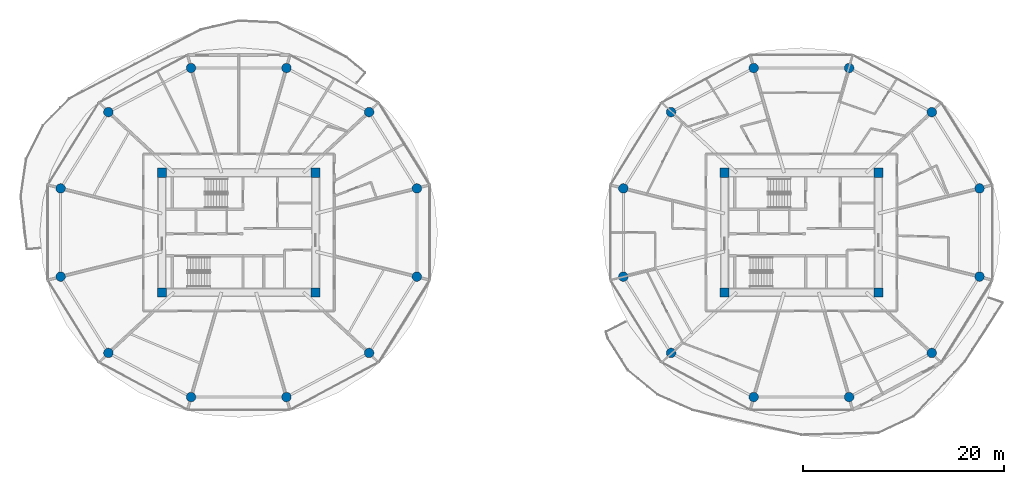
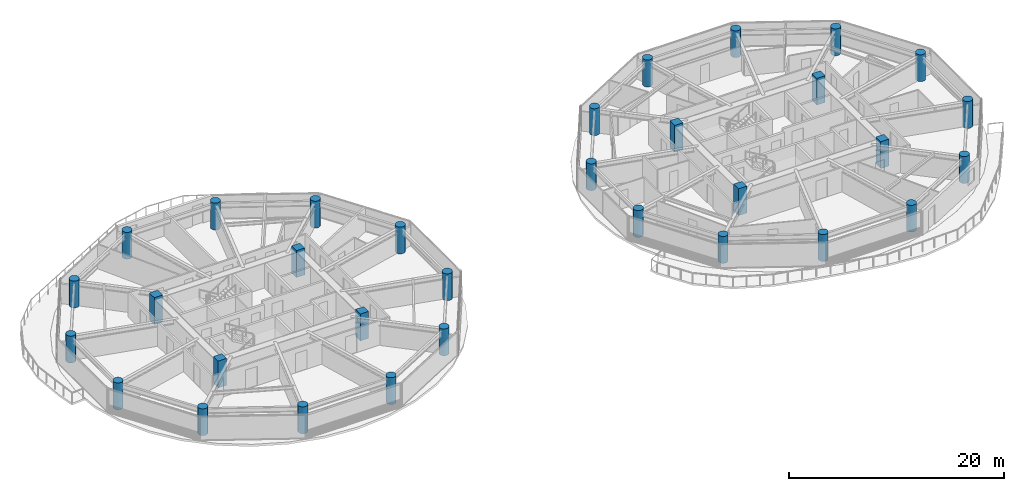
# One storey, part 1 of 26: 32 columns.
"""IFC4 building model written with IfcOpenShell, lengths in metres."""

from ifc_helpers import new_model, si_unit, direction, frame, origin, origin_2d, place, context, subcontext, project, spatial, rectangle, circle, extrude, source, transform, mapped, material, material_profile, profile_set, type_object, type_shapes, element, save


model = new_model("IFC4")

# Units and contexts
model_context = context("Model", 3, precision=1e-05, world=origin(), true_north=direction((0.0, 1.0)))
body_context = subcontext(model_context, "Body", "Model", "MODEL_VIEW")
ifc_project = project(units=[si_unit("LENGTHUNIT", "METRE"), si_unit("AREAUNIT", "SQUARE_METRE"), si_unit("VOLUMEUNIT", "CUBIC_METRE"), si_unit("PLANEANGLEUNIT", "RADIAN"), si_unit("MASSUNIT", "GRAM", prefix="KILO")], contexts=[model_context])

# Site, building, storey
site_placement = place(None, origin())
site = spatial("IfcSite", under=ifc_project, at=site_placement, CompositionType="ELEMENT")
building_placement = place(site_placement, origin())
building = spatial("IfcBuilding", under=site, at=building_placement, Name="Norrkilde Senior Care Towers", CompositionType="ELEMENT")
storey_placement = place(building_placement, frame((0.0, 0.0, 24.64990234375)))
storey = spatial("IfcBuildingStorey", under=building, at=storey_placement, Name="L06", CompositionType="ELEMENT", Elevation=24.64990234375)

# Columns
ifc_material = material(Name="Concrete C60/75", Category="concrete")
ifc_material_profile_1 = material_profile(ifc_material, rectangle(XDim=0.89990234375, YDim=0.89990234375, at=origin_2d()), Name="RC COL 900x900")
ifc_profile_set_1 = profile_set([ifc_material_profile_1], Name="Concrete C60/75")
column_type_1 = type_object("IfcColumnType", Name="Column Core Corner Z1-Z2 900", PredefinedType="COLUMN", material=ifc_profile_set_1)
shared_shape_1 = source(origin(), body_context, "Body", "SweptSolid", [
    extrude(rectangle(XDim=0.89990234375, YDim=0.89990234375, at=origin_2d()), origin(), (0.0, 0.0, 1.0), 3.050048828125),
])
type_shapes(column_type_1, [shared_shape_1])
for number, where, z_axis, x_axis, name in (
    (1, (-35.64990234375, -5.949951171875, 0.0), (0.0, 0.0, 1.0), (1.0, 0.0, 0.0), "L06 Core W Corner Column 1"),
    (2, (-20.35009765625, -5.949951171875, 0.0), (0.0, 0.0, 1.0), (1.0, 0.0, 0.0), "L06 Core W Corner Column 2"),
    (3, (-20.35009765625, 5.949951171875, 0.0), (0.0, 0.0, 1.0), (1.0, 0.0, 0.0), "L06 Core W Corner Column 3"),
    (4, (-35.64990234375, 5.949951171875, 0.0), (0.0, 0.0, 1.0), (1.0, 0.0, 0.0), "L06 Core W Corner Column 4"),
    (5, (20.35009765625, -5.949951171875, 0.0), (0.0, 0.0, 1.0), (1.0, 0.0, 0.0), "L06 Core E Corner Column 1"),
    (6, (35.64990234375, -5.949951171875, 0.0), (0.0, 0.0, 1.0), (1.0, 0.0, 0.0), "L06 Core E Corner Column 2"),
    (7, (35.64990234375, 5.949951171875, 0.0), (0.0, 0.0, 1.0), (1.0, 0.0, 0.0), "L06 Core E Corner Column 3"),
    (8, (20.35009765625, 5.949951171875, 0.0), (0.0, 0.0, 1.0), (1.0, 0.0, 0.0), "L06 Core E Corner Column 4"),
):
    element("IfcColumn", number, at=place(storey_placement, frame(where, z_axis=z_axis, x_axis=x_axis)), inside=storey, type_object=column_type_1, Name=name, PredefinedType="COLUMN", context=body_context, shape_type="MappedRepresentation", body=[
        mapped(shared_shape_1, transform((0.0, 0.0, 0.0), x_axis=(1.0, 0.0, 0.0), y_axis=(0.0, 1.0, 0.0), z_axis=(0.0, 0.0, 1.0), scale=1.0)),
    ])
ifc_material_profile_2 = material_profile(ifc_material, circle(Radius=0.47509765625, at=origin_2d()), Name="RC CIR 950")
ifc_profile_set_2 = profile_set([ifc_material_profile_2], Name="Concrete C60/75")
column_type_2 = type_object("IfcColumnType", Name="Column Perimeter Z1 950", PredefinedType="COLUMN", material=ifc_profile_set_2)
shared_shape_2 = source(origin(), body_context, "Body", "SweptSolid", [
    extrude(circle(Radius=0.47509765625, at=origin_2d()), origin(), (0.0, 0.0, 1.0), 3.050048828125),
])
type_shapes(column_type_2, [shared_shape_2])
for number, where, z_axis, x_axis, name in (
    (9, (-10.275146484375, 4.386962890625, 0.0), (0.0, 0.0, 1.0), (1.0, 0.0, 0.0), "L06 Drum W Perimeter Column 01"),
    (10, (-15.024658203125, 11.9853515625, 0.0), (0.0, 0.0, 1.0), (1.0, 0.0, 0.0), "L06 Drum W Perimeter Column 02"),
    (11, (-23.250732421875, 16.37255859375, 0.0), (0.0, 0.0, 1.0), (1.0, 0.0, 0.0), "L06 Drum W Perimeter Column 03"),
    (12, (-32.749267578125, 16.37255859375, 0.0), (0.0, 0.0, 1.0), (1.0, 0.0, 0.0), "L06 Drum W Perimeter Column 04"),
    (13, (-40.975341796875, 11.9853515625, 0.0), (0.0, 0.0, 1.0), (1.0, 0.0, 0.0), "L06 Drum W Perimeter Column 05"),
    (14, (-45.724853515625, 4.386962890625, 0.0), (0.0, 0.0, 1.0), (1.0, 0.0, 0.0), "L06 Drum W Perimeter Column 06"),
    (15, (-45.724853515625, -4.386962890625, 0.0), (0.0, 0.0, 1.0), (1.0, 0.0, 0.0), "L06 Drum W Perimeter Column 07"),
    (16, (-40.975341796875, -11.9853515625, 0.0), (0.0, 0.0, 1.0), (1.0, 0.0, 0.0), "L06 Drum W Perimeter Column 08"),
    (17, (-32.749267578125, -16.37255859375, 0.0), (0.0, 0.0, 1.0), (1.0, 0.0, 0.0), "L06 Drum W Perimeter Column 09"),
    (18, (-23.250732421875, -16.37255859375, 0.0), (0.0, 0.0, 1.0), (1.0, 0.0, 0.0), "L06 Drum W Perimeter Column 10"),
    (19, (-15.024658203125, -11.9853515625, 0.0), (0.0, 0.0, 1.0), (1.0, 0.0, 0.0), "L06 Drum W Perimeter Column 11"),
    (20, (-10.275146484375, -4.386962890625, 0.0), (0.0, 0.0, 1.0), (1.0, 0.0, 0.0), "L06 Drum W Perimeter Column 12"),
    (21, (45.724853515625, 4.386962890625, 0.0), (0.0, 0.0, 1.0), (1.0, 0.0, 0.0), "L06 Drum E Perimeter Column 01"),
    (22, (40.975341796875, 11.9853515625, 0.0), (0.0, 0.0, 1.0), (1.0, 0.0, 0.0), "L06 Drum E Perimeter Column 02"),
    (23, (32.749267578125, 16.37255859375, 0.0), (0.0, 0.0, 1.0), (1.0, 0.0, 0.0), "L06 Drum E Perimeter Column 03"),
    (24, (23.250732421875, 16.37255859375, 0.0), (0.0, 0.0, 1.0), (1.0, 0.0, 0.0), "L06 Drum E Perimeter Column 04"),
    (25, (15.024658203125, 11.9853515625, 0.0), (0.0, 0.0, 1.0), (1.0, 0.0, 0.0), "L06 Drum E Perimeter Column 05"),
    (26, (10.275146484375, 4.386962890625, 0.0), (0.0, 0.0, 1.0), (1.0, 0.0, 0.0), "L06 Drum E Perimeter Column 06"),
    (27, (10.275146484375, -4.386962890625, 0.0), (0.0, 0.0, 1.0), (1.0, 0.0, 0.0), "L06 Drum E Perimeter Column 07"),
    (28, (15.024658203125, -11.9853515625, 0.0), (0.0, 0.0, 1.0), (1.0, 0.0, 0.0), "L06 Drum E Perimeter Column 08"),
    (29, (23.250732421875, -16.37255859375, 0.0), (0.0, 0.0, 1.0), (1.0, 0.0, 0.0), "L06 Drum E Perimeter Column 09"),
    (30, (32.749267578125, -16.37255859375, 0.0), (0.0, 0.0, 1.0), (1.0, 0.0, 0.0), "L06 Drum E Perimeter Column 10"),
    (31, (40.975341796875, -11.9853515625, 0.0), (0.0, 0.0, 1.0), (1.0, 0.0, 0.0), "L06 Drum E Perimeter Column 11"),
    (32, (45.724853515625, -4.386962890625, 0.0), (0.0, 0.0, 1.0), (1.0, 0.0, 0.0), "L06 Drum E Perimeter Column 12"),
):
    element("IfcColumn", number, at=place(storey_placement, frame(where, z_axis=z_axis, x_axis=x_axis)), inside=storey, type_object=column_type_2, Name=name, PredefinedType="COLUMN", context=body_context, shape_type="MappedRepresentation", body=[
        mapped(shared_shape_2, transform((0.0, 0.0, 0.0), x_axis=(1.0, 0.0, 0.0), y_axis=(0.0, 1.0, 0.0), z_axis=(0.0, 0.0, 1.0), scale=1.0)),
    ])

save(model, "model.ifc")
